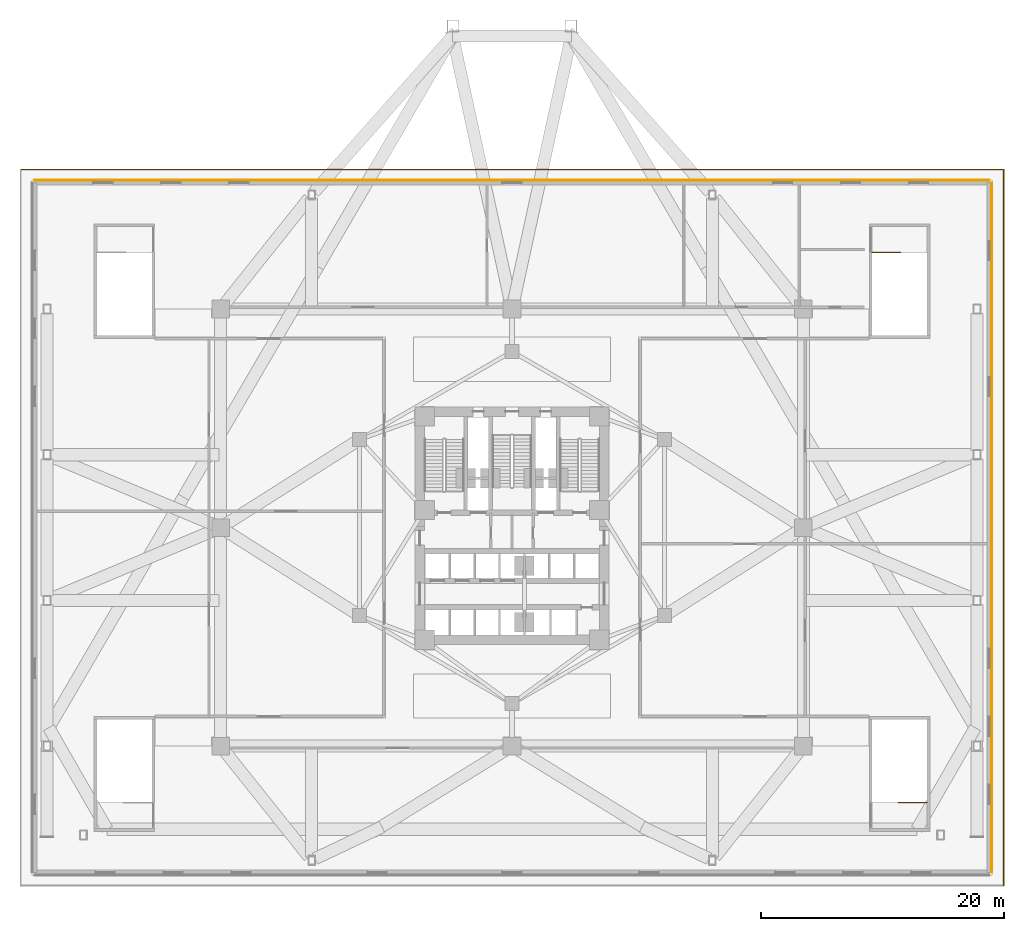
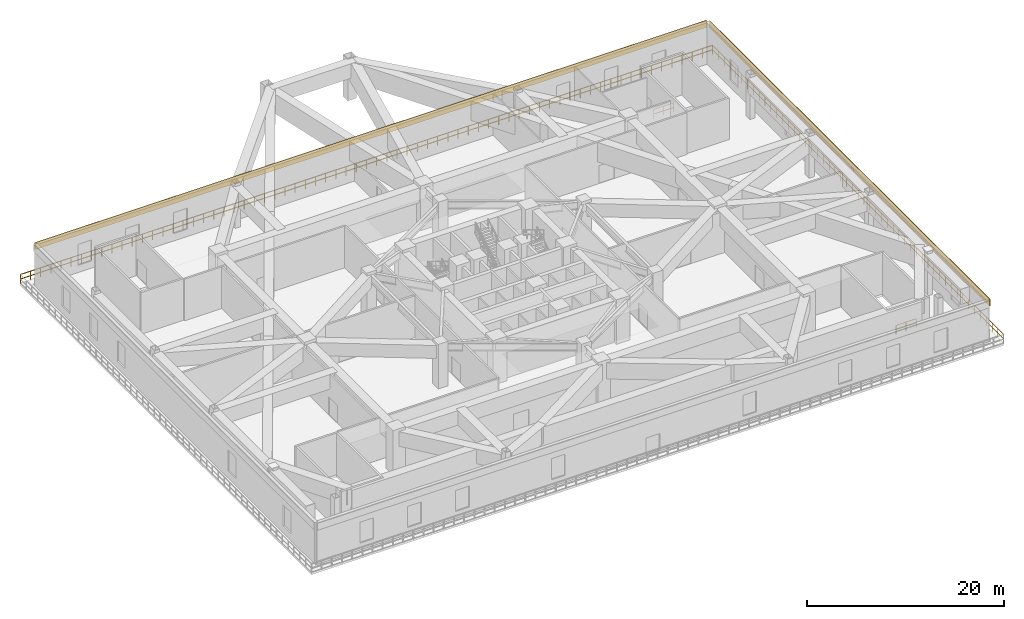
# One storey, part 15 of 15: 4 railings, 2 coverings.
"""IFC4 building model written with IfcOpenShell, lengths in metres."""

from ifc_helpers import new_model, si_unit, direction, frame, origin, origin_2d, place, context, subcontext, project, spatial, polyline, rectangle, outline, extrude, material, layer, layer_set, type_object, element, save


model = new_model("IFC4")

# Units and contexts
model_context = context("Model", 3, precision=1e-05, world=origin(), true_north=direction((0.0, 1.0)))
body_context = subcontext(model_context, "Body", "Model", "MODEL_VIEW")
ifc_project = project(units=[si_unit("LENGTHUNIT", "METRE"), si_unit("AREAUNIT", "SQUARE_METRE"), si_unit("VOLUMEUNIT", "CUBIC_METRE"), si_unit("PLANEANGLEUNIT", "RADIAN"), si_unit("MASSUNIT", "GRAM", prefix="KILO")], contexts=[model_context])

# Site, building, storey
site_placement = place(None, origin())
site = spatial("IfcSite", under=ifc_project, at=site_placement, CompositionType="ELEMENT")
building_placement = place(site_placement, origin())
building = spatial("IfcBuilding", under=site, at=building_placement, Name="Apsidion Concourse Tower", CompositionType="ELEMENT")
storey_placement = place(building_placement, frame((0.0, 0.0, 23.5)))
storey = spatial("IfcBuildingStorey", under=building, at=storey_placement, Name="L04", CompositionType="ELEMENT", Elevation=23.5)

# Coverings
ifc_material_1 = material(Name="Reconstituted limestone facade cladding", Category="masonry")
ifc_layer = layer(ifc_material_1, 0.080078125)
ifc_layer_set = layer_set([ifc_layer], Name="Reconstituted limestone facade cladding")
covering_type = type_object("IfcCoveringType", Name="COV-CLAD-80", PredefinedType="CLADDING", material=ifc_layer_set)
covering_1_placement = place(storey_placement, frame((0.0, 0.0, 4.300048828125)))
element("IfcCovering", 1, at=covering_1_placement, inside=storey, type_object=covering_type, Name="L04 Limestone Spandrel Cladding N", PredefinedType="CLADDING", context=body_context, shape_type="SweptSolid", body=[
    extrude(outline(polyline([(-39.300048828125, 28.580078125), (39.300048828125, 28.580078125), (39.300048828125, 28.659912109375), (-39.300048828125, 28.659912109375), (-39.300048828125, 28.580078125)])), origin(), (0.0, 0.0, 1.0), 0.849853515625),
])
covering_2_placement = place(storey_placement, frame((0.0, 0.0, 4.300048828125)))
element("IfcCovering", 2, at=covering_2_placement, inside=storey, type_object=covering_type, Name="L04 Limestone Spandrel Cladding E", PredefinedType="CLADDING", context=body_context, shape_type="SweptSolid", body=[
    extrude(outline(polyline([(39.47998046875, 28.39990234375), (39.47998046875, -28.39990234375), (39.56005859375, -28.39990234375), (39.56005859375, 28.39990234375), (39.47998046875, 28.39990234375)])), origin(), (0.0, 0.0, 1.0), 0.849853515625),
])

# Railings
ifc_material_2 = material(Name="Brushed stainless steel 316", Category="steel")
railing_type_1 = type_object("IfcRailingType", Name="RL-BAL-1120", PredefinedType="BALUSTRADE", material=ifc_material_2)
railing_1_placement = place(storey_placement, frame((-40.5, 29.5, 0.0)))
element("IfcRailing", 3, at=railing_1_placement, inside=storey, type_object=railing_type_1, Name="L04 Podium Setback Terrace Balustrade 1", PredefinedType="BALUSTRADE", context=body_context, shape_type="SweptSolid", body=[
    extrude(rectangle(XDim=0.048095703125, YDim=0.048095703125, at=origin_2d()), frame((0.0, 0.0, 1.09619140625), z_axis=(1.0, 0.0, 0.0), x_axis=(0.0, 1.0, 0.0)), (0.0, 0.0, 1.0), 81.0),
    extrude(rectangle(XDim=0.048095703125, YDim=0.048095703125, at=origin_2d()), frame((0.0, 0.0, 0.5361328125), z_axis=(1.0, 0.0, 0.0), x_axis=(0.0, 1.0, 0.0)), (0.0, 0.0, 1.0), 81.0),
    extrude(rectangle(XDim=0.0419921875, YDim=0.0419921875, at=origin_2d()), origin(), (0.0, 0.0, 1.0), 1.072021484375),
    extrude(rectangle(XDim=0.0419921875, YDim=0.0419921875, at=origin_2d()), frame((1.191162109375, 0.0, 0.0)), (0.0, 0.0, 1.0), 1.072021484375),
    extrude(rectangle(XDim=0.0419921875, YDim=0.0419921875, at=origin_2d()), frame((2.38232421875, 0.0, 0.0)), (0.0, 0.0, 1.0), 1.072021484375),
    extrude(rectangle(XDim=0.0419921875, YDim=0.0419921875, at=origin_2d()), frame((3.573486328125, 0.0, 0.0)), (0.0, 0.0, 1.0), 1.072021484375),
    extrude(rectangle(XDim=0.0419921875, YDim=0.0419921875, at=origin_2d()), frame((4.7646484375, 0.0, 0.0)), (0.0, 0.0, 1.0), 1.072021484375),
    extrude(rectangle(XDim=0.0419921875, YDim=0.0419921875, at=origin_2d()), frame((5.955810546875, 0.0, 0.0)), (0.0, 0.0, 1.0), 1.072021484375),
    extrude(rectangle(XDim=0.0419921875, YDim=0.0419921875, at=origin_2d()), frame((7.14697265625, 0.0, 0.0)), (0.0, 0.0, 1.0), 1.072021484375),
    extrude(rectangle(XDim=0.0419921875, YDim=0.0419921875, at=origin_2d()), frame((8.338134765625, 0.0, 0.0)), (0.0, 0.0, 1.0), 1.072021484375),
    extrude(rectangle(XDim=0.0419921875, YDim=0.0419921875, at=origin_2d()), frame((9.529296875, 0.0, 0.0)), (0.0, 0.0, 1.0), 1.072021484375),
    extrude(rectangle(XDim=0.0419921875, YDim=0.0419921875, at=origin_2d()), frame((10.720703125, 0.0, 0.0)), (0.0, 0.0, 1.0), 1.072021484375),
    extrude(rectangle(XDim=0.0419921875, YDim=0.0419921875, at=origin_2d()), frame((11.911865234375, 0.0, 0.0)), (0.0, 0.0, 1.0), 1.072021484375),
    extrude(rectangle(XDim=0.0419921875, YDim=0.0419921875, at=origin_2d()), frame((13.10302734375, 0.0, 0.0)), (0.0, 0.0, 1.0), 1.072021484375),
    extrude(rectangle(XDim=0.0419921875, YDim=0.0419921875, at=origin_2d()), frame((14.294189453125, 0.0, 0.0)), (0.0, 0.0, 1.0), 1.072021484375),
    extrude(rectangle(XDim=0.0419921875, YDim=0.0419921875, at=origin_2d()), frame((15.4853515625, 0.0, 0.0)), (0.0, 0.0, 1.0), 1.072021484375),
    extrude(rectangle(XDim=0.0419921875, YDim=0.0419921875, at=origin_2d()), frame((16.676513671875, 0.0, 0.0)), (0.0, 0.0, 1.0), 1.072021484375),
    extrude(rectangle(XDim=0.0419921875, YDim=0.0419921875, at=origin_2d()), frame((17.86767578125, 0.0, 0.0)), (0.0, 0.0, 1.0), 1.072021484375),
    extrude(rectangle(XDim=0.0419921875, YDim=0.0419921875, at=origin_2d()), frame((19.058837890625, 0.0, 0.0)), (0.0, 0.0, 1.0), 1.072021484375),
    extrude(rectangle(XDim=0.0419921875, YDim=0.0419921875, at=origin_2d()), frame((20.25, 0.0, 0.0)), (0.0, 0.0, 1.0), 1.072021484375),
    extrude(rectangle(XDim=0.0419921875, YDim=0.0419921875, at=origin_2d()), frame((21.441162109375, 0.0, 0.0)), (0.0, 0.0, 1.0), 1.072021484375),
    extrude(rectangle(XDim=0.0419921875, YDim=0.0419921875, at=origin_2d()), frame((22.63232421875, 0.0, 0.0)), (0.0, 0.0, 1.0), 1.072021484375),
    extrude(rectangle(XDim=0.0419921875, YDim=0.0419921875, at=origin_2d()), frame((23.823486328125, 0.0, 0.0)), (0.0, 0.0, 1.0), 1.072021484375),
    extrude(rectangle(XDim=0.0419921875, YDim=0.0419921875, at=origin_2d()), frame((25.0146484375, 0.0, 0.0)), (0.0, 0.0, 1.0), 1.072021484375),
    extrude(rectangle(XDim=0.0419921875, YDim=0.0419921875, at=origin_2d()), frame((26.205810546875, 0.0, 0.0)), (0.0, 0.0, 1.0), 1.072021484375),
    extrude(rectangle(XDim=0.0419921875, YDim=0.0419921875, at=origin_2d()), frame((27.39697265625, 0.0, 0.0)), (0.0, 0.0, 1.0), 1.072021484375),
    extrude(rectangle(XDim=0.0419921875, YDim=0.0419921875, at=origin_2d()), frame((28.588134765625, 0.0, 0.0)), (0.0, 0.0, 1.0), 1.072021484375),
    extrude(rectangle(XDim=0.0419921875, YDim=0.0419921875, at=origin_2d()), frame((29.779296875, 0.0, 0.0)), (0.0, 0.0, 1.0), 1.072021484375),
    extrude(rectangle(XDim=0.0419921875, YDim=0.0419921875, at=origin_2d()), frame((30.970703125, 0.0, 0.0)), (0.0, 0.0, 1.0), 1.072021484375),
    extrude(rectangle(XDim=0.0419921875, YDim=0.0419921875, at=origin_2d()), frame((32.161865234375, 0.0, 0.0)), (0.0, 0.0, 1.0), 1.072021484375),
    extrude(rectangle(XDim=0.0419921875, YDim=0.0419921875, at=origin_2d()), frame((33.35302734375, 0.0, 0.0)), (0.0, 0.0, 1.0), 1.072021484375),
    extrude(rectangle(XDim=0.0419921875, YDim=0.0419921875, at=origin_2d()), frame((34.544189453125, 0.0, 0.0)), (0.0, 0.0, 1.0), 1.072021484375),
    extrude(rectangle(XDim=0.0419921875, YDim=0.0419921875, at=origin_2d()), frame((35.7353515625, 0.0, 0.0)), (0.0, 0.0, 1.0), 1.072021484375),
    extrude(rectangle(XDim=0.0419921875, YDim=0.0419921875, at=origin_2d()), frame((36.926513671875, 0.0, 0.0)), (0.0, 0.0, 1.0), 1.072021484375),
    extrude(rectangle(XDim=0.0419921875, YDim=0.0419921875, at=origin_2d()), frame((38.11767578125, 0.0, 0.0)), (0.0, 0.0, 1.0), 1.072021484375),
    extrude(rectangle(XDim=0.0419921875, YDim=0.0419921875, at=origin_2d()), frame((39.308837890625, 0.0, 0.0)), (0.0, 0.0, 1.0), 1.072021484375),
    extrude(rectangle(XDim=0.0419921875, YDim=0.0419921875, at=origin_2d()), frame((40.5, 0.0, 0.0)), (0.0, 0.0, 1.0), 1.072021484375),
    extrude(rectangle(XDim=0.0419921875, YDim=0.0419921875, at=origin_2d()), frame((41.691162109375, 0.0, 0.0)), (0.0, 0.0, 1.0), 1.072021484375),
    extrude(rectangle(XDim=0.0419921875, YDim=0.0419921875, at=origin_2d()), frame((42.88232421875, 0.0, 0.0)), (0.0, 0.0, 1.0), 1.072021484375),
    extrude(rectangle(XDim=0.0419921875, YDim=0.0419921875, at=origin_2d()), frame((44.073486328125, 0.0, 0.0)), (0.0, 0.0, 1.0), 1.072021484375),
    extrude(rectangle(XDim=0.0419921875, YDim=0.0419921875, at=origin_2d()), frame((45.2646484375, 0.0, 0.0)), (0.0, 0.0, 1.0), 1.072021484375),
    extrude(rectangle(XDim=0.0419921875, YDim=0.0419921875, at=origin_2d()), frame((46.455810546875, 0.0, 0.0)), (0.0, 0.0, 1.0), 1.072021484375),
    extrude(rectangle(XDim=0.0419921875, YDim=0.0419921875, at=origin_2d()), frame((47.64697265625, 0.0, 0.0)), (0.0, 0.0, 1.0), 1.072021484375),
    extrude(rectangle(XDim=0.0419921875, YDim=0.0419921875, at=origin_2d()), frame((48.838134765625, 0.0, 0.0)), (0.0, 0.0, 1.0), 1.072021484375),
    extrude(rectangle(XDim=0.0419921875, YDim=0.0419921875, at=origin_2d()), frame((50.029296875, 0.0, 0.0)), (0.0, 0.0, 1.0), 1.072021484375),
    extrude(rectangle(XDim=0.0419921875, YDim=0.0419921875, at=origin_2d()), frame((51.220703125, 0.0, 0.0)), (0.0, 0.0, 1.0), 1.072021484375),
    extrude(rectangle(XDim=0.0419921875, YDim=0.0419921875, at=origin_2d()), frame((52.411865234375, 0.0, 0.0)), (0.0, 0.0, 1.0), 1.072021484375),
    extrude(rectangle(XDim=0.0419921875, YDim=0.0419921875, at=origin_2d()), frame((53.60302734375, 0.0, 0.0)), (0.0, 0.0, 1.0), 1.072021484375),
    extrude(rectangle(XDim=0.0419921875, YDim=0.0419921875, at=origin_2d()), frame((54.794189453125, 0.0, 0.0)), (0.0, 0.0, 1.0), 1.072021484375),
    extrude(rectangle(XDim=0.0419921875, YDim=0.0419921875, at=origin_2d()), frame((55.9853515625, 0.0, 0.0)), (0.0, 0.0, 1.0), 1.072021484375),
    extrude(rectangle(XDim=0.0419921875, YDim=0.0419921875, at=origin_2d()), frame((57.176513671875, 0.0, 0.0)), (0.0, 0.0, 1.0), 1.072021484375),
    extrude(rectangle(XDim=0.0419921875, YDim=0.0419921875, at=origin_2d()), frame((58.36767578125, 0.0, 0.0)), (0.0, 0.0, 1.0), 1.072021484375),
    extrude(rectangle(XDim=0.0419921875, YDim=0.0419921875, at=origin_2d()), frame((59.558837890625, 0.0, 0.0)), (0.0, 0.0, 1.0), 1.072021484375),
    extrude(rectangle(XDim=0.0419921875, YDim=0.0419921875, at=origin_2d()), frame((60.75, 0.0, 0.0)), (0.0, 0.0, 1.0), 1.072021484375),
    extrude(rectangle(XDim=0.0419921875, YDim=0.0419921875, at=origin_2d()), frame((61.941162109375, 0.0, 0.0)), (0.0, 0.0, 1.0), 1.072021484375),
    extrude(rectangle(XDim=0.0419921875, YDim=0.0419921875, at=origin_2d()), frame((63.13232421875, 0.0, 0.0)), (0.0, 0.0, 1.0), 1.072021484375),
    extrude(rectangle(XDim=0.0419921875, YDim=0.0419921875, at=origin_2d()), frame((64.323486328125, 0.0, 0.0)), (0.0, 0.0, 1.0), 1.072021484375),
    extrude(rectangle(XDim=0.0419921875, YDim=0.0419921875, at=origin_2d()), frame((65.5146484375, 0.0, 0.0)), (0.0, 0.0, 1.0), 1.072021484375),
    extrude(rectangle(XDim=0.0419921875, YDim=0.0419921875, at=origin_2d()), frame((66.705810546875, 0.0, 0.0)), (0.0, 0.0, 1.0), 1.072021484375),
    extrude(rectangle(XDim=0.0419921875, YDim=0.0419921875, at=origin_2d()), frame((67.89697265625, 0.0, 0.0)), (0.0, 0.0, 1.0), 1.072021484375),
    extrude(rectangle(XDim=0.0419921875, YDim=0.0419921875, at=origin_2d()), frame((69.088134765625, 0.0, 0.0)), (0.0, 0.0, 1.0), 1.072021484375),
    extrude(rectangle(XDim=0.0419921875, YDim=0.0419921875, at=origin_2d()), frame((70.279296875, 0.0, 0.0)), (0.0, 0.0, 1.0), 1.072021484375),
    extrude(rectangle(XDim=0.0419921875, YDim=0.0419921875, at=origin_2d()), frame((71.470703125, 0.0, 0.0)), (0.0, 0.0, 1.0), 1.072021484375),
    extrude(rectangle(XDim=0.0419921875, YDim=0.0419921875, at=origin_2d()), frame((72.661865234375, 0.0, 0.0)), (0.0, 0.0, 1.0), 1.072021484375),
    extrude(rectangle(XDim=0.0419921875, YDim=0.0419921875, at=origin_2d()), frame((73.85302734375, 0.0, 0.0)), (0.0, 0.0, 1.0), 1.072021484375),
    extrude(rectangle(XDim=0.0419921875, YDim=0.0419921875, at=origin_2d()), frame((75.044189453125, 0.0, 0.0)), (0.0, 0.0, 1.0), 1.072021484375),
    extrude(rectangle(XDim=0.0419921875, YDim=0.0419921875, at=origin_2d()), frame((76.2353515625, 0.0, 0.0)), (0.0, 0.0, 1.0), 1.072021484375),
    extrude(rectangle(XDim=0.0419921875, YDim=0.0419921875, at=origin_2d()), frame((77.426513671875, 0.0, 0.0)), (0.0, 0.0, 1.0), 1.072021484375),
    extrude(rectangle(XDim=0.0419921875, YDim=0.0419921875, at=origin_2d()), frame((78.61767578125, 0.0, 0.0)), (0.0, 0.0, 1.0), 1.072021484375),
    extrude(rectangle(XDim=0.0419921875, YDim=0.0419921875, at=origin_2d()), frame((79.808837890625, 0.0, 0.0)), (0.0, 0.0, 1.0), 1.072021484375),
    extrude(rectangle(XDim=0.0419921875, YDim=0.0419921875, at=origin_2d()), frame((81.0, 0.0, 0.0)), (0.0, 0.0, 1.0), 1.072021484375),
])
railing_2_placement = place(storey_placement, frame((40.5, 29.5, 0.0)))
element("IfcRailing", 4, at=railing_2_placement, inside=storey, type_object=railing_type_1, Name="L04 Podium Setback Terrace Balustrade 2", PredefinedType="BALUSTRADE", context=body_context, shape_type="SweptSolid", body=[
    extrude(rectangle(XDim=0.048095703125, YDim=0.048095703125, at=origin_2d()), frame((0.0, 0.0, 1.09619140625), z_axis=(0.0, -1.0, 0.0), x_axis=(1.0, 0.0, 0.0)), (0.0, 0.0, 1.0), 59.0),
    extrude(rectangle(XDim=0.048095703125, YDim=0.048095703125, at=origin_2d()), frame((0.0, 0.0, 0.5361328125), z_axis=(0.0, -1.0, 0.0), x_axis=(1.0, 0.0, 0.0)), (0.0, 0.0, 1.0), 59.0),
    extrude(rectangle(XDim=0.0419921875, YDim=0.0419921875, at=origin_2d()), origin(), (0.0, 0.0, 1.0), 1.072021484375),
    extrude(rectangle(XDim=0.0419921875, YDim=0.0419921875, at=origin_2d()), frame((0.0, -1.179931640625, 0.0)), (0.0, 0.0, 1.0), 1.072021484375),
    extrude(rectangle(XDim=0.0419921875, YDim=0.0419921875, at=origin_2d()), frame((0.0, -2.360107421875, 0.0)), (0.0, 0.0, 1.0), 1.072021484375),
    extrude(rectangle(XDim=0.0419921875, YDim=0.0419921875, at=origin_2d()), frame((0.0, -3.5400390625, 0.0)), (0.0, 0.0, 1.0), 1.072021484375),
    extrude(rectangle(XDim=0.0419921875, YDim=0.0419921875, at=origin_2d()), frame((0.0, -4.719970703125, 0.0)), (0.0, 0.0, 1.0), 1.072021484375),
    extrude(rectangle(XDim=0.0419921875, YDim=0.0419921875, at=origin_2d()), frame((0.0, -5.89990234375, 0.0)), (0.0, 0.0, 1.0), 1.072021484375),
    extrude(rectangle(XDim=0.0419921875, YDim=0.0419921875, at=origin_2d()), frame((0.0, -7.080078125, 0.0)), (0.0, 0.0, 1.0), 1.072021484375),
    extrude(rectangle(XDim=0.0419921875, YDim=0.0419921875, at=origin_2d()), frame((0.0, -8.260009765625, 0.0)), (0.0, 0.0, 1.0), 1.072021484375),
    extrude(rectangle(XDim=0.0419921875, YDim=0.0419921875, at=origin_2d()), frame((0.0, -9.43994140625, 0.0)), (0.0, 0.0, 1.0), 1.072021484375),
    extrude(rectangle(XDim=0.0419921875, YDim=0.0419921875, at=origin_2d()), frame((0.0, -10.6201171875, 0.0)), (0.0, 0.0, 1.0), 1.072021484375),
    extrude(rectangle(XDim=0.0419921875, YDim=0.0419921875, at=origin_2d()), frame((0.0, -11.800048828125, 0.0)), (0.0, 0.0, 1.0), 1.072021484375),
    extrude(rectangle(XDim=0.0419921875, YDim=0.0419921875, at=origin_2d()), frame((0.0, -12.97998046875, 0.0)), (0.0, 0.0, 1.0), 1.072021484375),
    extrude(rectangle(XDim=0.0419921875, YDim=0.0419921875, at=origin_2d()), frame((0.0, -14.159912109375, 0.0)), (0.0, 0.0, 1.0), 1.072021484375),
    extrude(rectangle(XDim=0.0419921875, YDim=0.0419921875, at=origin_2d()), frame((0.0, -15.340087890625, 0.0)), (0.0, 0.0, 1.0), 1.072021484375),
    extrude(rectangle(XDim=0.0419921875, YDim=0.0419921875, at=origin_2d()), frame((0.0, -16.52001953125, 0.0)), (0.0, 0.0, 1.0), 1.072021484375),
    extrude(rectangle(XDim=0.0419921875, YDim=0.0419921875, at=origin_2d()), frame((0.0, -17.699951171875, 0.0)), (0.0, 0.0, 1.0), 1.072021484375),
    extrude(rectangle(XDim=0.0419921875, YDim=0.0419921875, at=origin_2d()), frame((0.0, -18.8798828125, 0.0)), (0.0, 0.0, 1.0), 1.072021484375),
    extrude(rectangle(XDim=0.0419921875, YDim=0.0419921875, at=origin_2d()), frame((0.0, -20.06005859375, 0.0)), (0.0, 0.0, 1.0), 1.072021484375),
    extrude(rectangle(XDim=0.0419921875, YDim=0.0419921875, at=origin_2d()), frame((0.0, -21.239990234375, 0.0)), (0.0, 0.0, 1.0), 1.072021484375),
    extrude(rectangle(XDim=0.0419921875, YDim=0.0419921875, at=origin_2d()), frame((0.0, -22.419921875, 0.0)), (0.0, 0.0, 1.0), 1.072021484375),
    extrude(rectangle(XDim=0.0419921875, YDim=0.0419921875, at=origin_2d()), frame((0.0, -23.60009765625, 0.0)), (0.0, 0.0, 1.0), 1.072021484375),
    extrude(rectangle(XDim=0.0419921875, YDim=0.0419921875, at=origin_2d()), frame((0.0, -24.780029296875, 0.0)), (0.0, 0.0, 1.0), 1.072021484375),
    extrude(rectangle(XDim=0.0419921875, YDim=0.0419921875, at=origin_2d()), frame((0.0, -25.9599609375, 0.0)), (0.0, 0.0, 1.0), 1.072021484375),
    extrude(rectangle(XDim=0.0419921875, YDim=0.0419921875, at=origin_2d()), frame((0.0, -27.139892578125, 0.0)), (0.0, 0.0, 1.0), 1.072021484375),
    extrude(rectangle(XDim=0.0419921875, YDim=0.0419921875, at=origin_2d()), frame((0.0, -28.320068359375, 0.0)), (0.0, 0.0, 1.0), 1.072021484375),
    extrude(rectangle(XDim=0.0419921875, YDim=0.0419921875, at=origin_2d()), frame((0.0, -29.5, 0.0)), (0.0, 0.0, 1.0), 1.072021484375),
    extrude(rectangle(XDim=0.0419921875, YDim=0.0419921875, at=origin_2d()), frame((0.0, -30.679931640625, 0.0)), (0.0, 0.0, 1.0), 1.072021484375),
    extrude(rectangle(XDim=0.0419921875, YDim=0.0419921875, at=origin_2d()), frame((0.0, -31.860107421875, 0.0)), (0.0, 0.0, 1.0), 1.072021484375),
    extrude(rectangle(XDim=0.0419921875, YDim=0.0419921875, at=origin_2d()), frame((0.0, -33.0400390625, 0.0)), (0.0, 0.0, 1.0), 1.072021484375),
    extrude(rectangle(XDim=0.0419921875, YDim=0.0419921875, at=origin_2d()), frame((0.0, -34.219970703125, 0.0)), (0.0, 0.0, 1.0), 1.072021484375),
    extrude(rectangle(XDim=0.0419921875, YDim=0.0419921875, at=origin_2d()), frame((0.0, -35.39990234375, 0.0)), (0.0, 0.0, 1.0), 1.072021484375),
    extrude(rectangle(XDim=0.0419921875, YDim=0.0419921875, at=origin_2d()), frame((0.0, -36.580078125, 0.0)), (0.0, 0.0, 1.0), 1.072021484375),
    extrude(rectangle(XDim=0.0419921875, YDim=0.0419921875, at=origin_2d()), frame((0.0, -37.760009765625, 0.0)), (0.0, 0.0, 1.0), 1.072021484375),
    extrude(rectangle(XDim=0.0419921875, YDim=0.0419921875, at=origin_2d()), frame((0.0, -38.93994140625, 0.0)), (0.0, 0.0, 1.0), 1.072021484375),
    extrude(rectangle(XDim=0.0419921875, YDim=0.0419921875, at=origin_2d()), frame((0.0, -40.1201171875, 0.0)), (0.0, 0.0, 1.0), 1.072021484375),
    extrude(rectangle(XDim=0.0419921875, YDim=0.0419921875, at=origin_2d()), frame((0.0, -41.300048828125, 0.0)), (0.0, 0.0, 1.0), 1.072021484375),
    extrude(rectangle(XDim=0.0419921875, YDim=0.0419921875, at=origin_2d()), frame((0.0, -42.47998046875, 0.0)), (0.0, 0.0, 1.0), 1.072021484375),
    extrude(rectangle(XDim=0.0419921875, YDim=0.0419921875, at=origin_2d()), frame((0.0, -43.659912109375, 0.0)), (0.0, 0.0, 1.0), 1.072021484375),
    extrude(rectangle(XDim=0.0419921875, YDim=0.0419921875, at=origin_2d()), frame((0.0, -44.840087890625, 0.0)), (0.0, 0.0, 1.0), 1.072021484375),
    extrude(rectangle(XDim=0.0419921875, YDim=0.0419921875, at=origin_2d()), frame((0.0, -46.02001953125, 0.0)), (0.0, 0.0, 1.0), 1.072021484375),
    extrude(rectangle(XDim=0.0419921875, YDim=0.0419921875, at=origin_2d()), frame((0.0, -47.199951171875, 0.0)), (0.0, 0.0, 1.0), 1.072021484375),
    extrude(rectangle(XDim=0.0419921875, YDim=0.0419921875, at=origin_2d()), frame((0.0, -48.3798828125, 0.0)), (0.0, 0.0, 1.0), 1.072021484375),
    extrude(rectangle(XDim=0.0419921875, YDim=0.0419921875, at=origin_2d()), frame((0.0, -49.56005859375, 0.0)), (0.0, 0.0, 1.0), 1.072021484375),
    extrude(rectangle(XDim=0.0419921875, YDim=0.0419921875, at=origin_2d()), frame((0.0, -50.739990234375, 0.0)), (0.0, 0.0, 1.0), 1.072021484375),
    extrude(rectangle(XDim=0.0419921875, YDim=0.0419921875, at=origin_2d()), frame((0.0, -51.919921875, 0.0)), (0.0, 0.0, 1.0), 1.072021484375),
    extrude(rectangle(XDim=0.0419921875, YDim=0.0419921875, at=origin_2d()), frame((0.0, -53.10009765625, 0.0)), (0.0, 0.0, 1.0), 1.072021484375),
    extrude(rectangle(XDim=0.0419921875, YDim=0.0419921875, at=origin_2d()), frame((0.0, -54.280029296875, 0.0)), (0.0, 0.0, 1.0), 1.072021484375),
    extrude(rectangle(XDim=0.0419921875, YDim=0.0419921875, at=origin_2d()), frame((0.0, -55.4599609375, 0.0)), (0.0, 0.0, 1.0), 1.072021484375),
    extrude(rectangle(XDim=0.0419921875, YDim=0.0419921875, at=origin_2d()), frame((0.0, -56.639892578125, 0.0)), (0.0, 0.0, 1.0), 1.072021484375),
    extrude(rectangle(XDim=0.0419921875, YDim=0.0419921875, at=origin_2d()), frame((0.0, -57.820068359375, 0.0)), (0.0, 0.0, 1.0), 1.072021484375),
    extrude(rectangle(XDim=0.0419921875, YDim=0.0419921875, at=origin_2d()), frame((0.0, -59.0, 0.0)), (0.0, 0.0, 1.0), 1.072021484375),
])
railing_type_2 = type_object("IfcRailingType", Name="RL-GUARD-1100", PredefinedType="GUARDRAIL", material=ifc_material_2)
railing_3_placement = place(storey_placement, frame((34.199951171875, -22.64990234375, 0.0)))
element("IfcRailing", 5, at=railing_3_placement, inside=storey, type_object=railing_type_2, Name="L04 ST-P2 top well guard 1", PredefinedType="GUARDRAIL", context=body_context, shape_type="SweptSolid", body=[
    extrude(rectangle(XDim=0.048095703125, YDim=0.048095703125, at=origin_2d()), frame((0.0, 0.0, 1.09619140625), z_axis=(-1.0, 0.0, 0.0), x_axis=(0.0, -1.0, 0.0)), (0.0, 0.0, 1.0), 2.349853515625),
    extrude(rectangle(XDim=0.048095703125, YDim=0.048095703125, at=origin_2d()), frame((0.0, 0.0, 0.5361328125), z_axis=(-1.0, 0.0, 0.0), x_axis=(0.0, -1.0, 0.0)), (0.0, 0.0, 1.0), 2.349853515625),
    extrude(rectangle(XDim=0.0419921875, YDim=0.0419921875, at=origin_2d()), origin(), (0.0, 0.0, 1.0), 1.072021484375),
    extrude(rectangle(XDim=0.0419921875, YDim=0.0419921875, at=origin_2d()), frame((-1.1748046875, 0.0, 0.0)), (0.0, 0.0, 1.0), 1.072021484375),
    extrude(rectangle(XDim=0.0419921875, YDim=0.0419921875, at=origin_2d()), frame((-2.349853515625, 0.0, 0.0)), (0.0, 0.0, 1.0), 1.072021484375),
])
railing_4_placement = place(storey_placement, frame((29.64990234375, 22.64990234375, 0.0)))
element("IfcRailing", 6, at=railing_4_placement, inside=storey, type_object=railing_type_2, Name="L04 ST-P4 top well guard 1", PredefinedType="GUARDRAIL", context=body_context, shape_type="SweptSolid", body=[
    extrude(rectangle(XDim=0.048095703125, YDim=0.048095703125, at=origin_2d()), frame((0.0, 0.0, 1.09619140625), z_axis=(1.0, 0.0, 0.0), x_axis=(0.0, 1.0, 0.0)), (0.0, 0.0, 1.0), 2.35009765625),
    extrude(rectangle(XDim=0.048095703125, YDim=0.048095703125, at=origin_2d()), frame((0.0, 0.0, 0.5361328125), z_axis=(1.0, 0.0, 0.0), x_axis=(0.0, 1.0, 0.0)), (0.0, 0.0, 1.0), 2.35009765625),
    extrude(rectangle(XDim=0.0419921875, YDim=0.0419921875, at=origin_2d()), origin(), (0.0, 0.0, 1.0), 1.072021484375),
    extrude(rectangle(XDim=0.0419921875, YDim=0.0419921875, at=origin_2d()), frame((1.175048828125, 0.0, 0.0)), (0.0, 0.0, 1.0), 1.072021484375),
    extrude(rectangle(XDim=0.0419921875, YDim=0.0419921875, at=origin_2d()), frame((2.35009765625, 0.0, 0.0)), (0.0, 0.0, 1.0), 1.072021484375),
])

save(model, "model.ifc")
